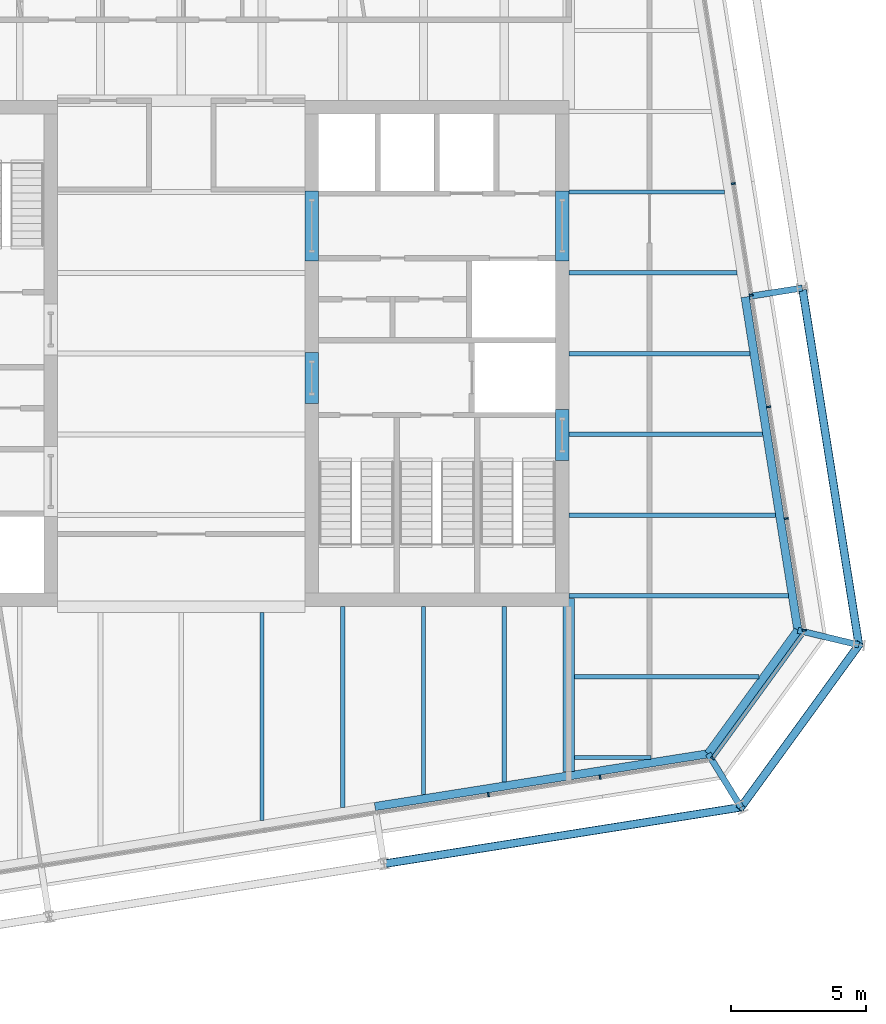
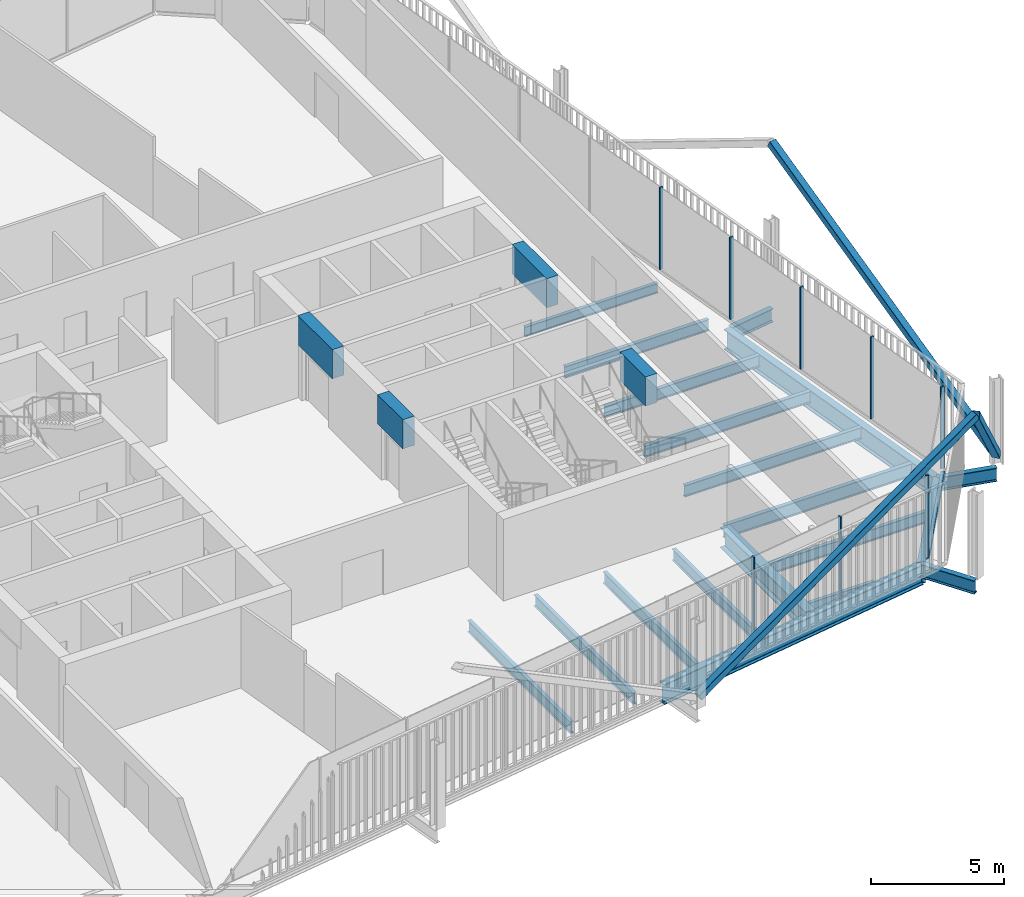
# One storey, part 9 of 21: 23 beams, 12 members, 3 elements without a shape of their own.
"""IFC4 building model written with IfcOpenShell, lengths in metres."""

from ifc_helpers import new_model, si_unit, direction, frame, origin, origin_2d, place, context, subcontext, project, spatial, rectangle, hollow_rectangle, i_section, extrude, material, layer, layer_set, material_profile, profile_set, type_object, element, aggregate, save


model = new_model("IFC4")

# Units and contexts
model_context = context("Model", 3, precision=1e-05, world=origin(), true_north=direction((0.0, 1.0)))
body_context = subcontext(model_context, "Body", "Model", "MODEL_VIEW")
ifc_project = project(units=[si_unit("LENGTHUNIT", "METRE"), si_unit("AREAUNIT", "SQUARE_METRE"), si_unit("VOLUMEUNIT", "CUBIC_METRE"), si_unit("PLANEANGLEUNIT", "RADIAN"), si_unit("MASSUNIT", "GRAM", prefix="KILO")], contexts=[model_context])

# Site, building, storey
site_placement = place(None, origin())
site = spatial("IfcSite", under=ifc_project, at=site_placement, CompositionType="ELEMENT")
building_placement = place(site_placement, origin())
building = spatial("IfcBuilding", under=site, at=building_placement, Name="Millrace Tower", CompositionType="ELEMENT")
storey_placement = place(building_placement, frame((0.0, 0.0, 212.5)))
storey = spatial("IfcBuildingStorey", under=building, at=storey_placement, Name="L48", CompositionType="ELEMENT", Elevation=212.5)

# Curtain wall, members
ifc_material_1 = material(Name="Aluminium and glass", Category="aluminium")
ifc_layer = layer(ifc_material_1, 0.14990234375)
ifc_layer_set = layer_set([ifc_layer], Name="Aluminium and glass")
curtain_wall_type = type_object("IfcCurtainWallType", Name="CW-1 office vision curtain wall", PredefinedType="NOTDEFINED", material=ifc_layer_set)
placement = place(storey_placement, origin())
curtain_wall_1 = element("IfcCurtainWall", 1, at=placement, inside=storey, type_object=curtain_wall_type, Name="Curtain wall D-F02 L48", PredefinedType="NOTDEFINED")
ifc_material_2 = material(Name="Aluminium", Category="aluminium")
ifc_material_profile_1 = material_profile(ifc_material_2, rectangle(XDim=0.06494140625, YDim=0.14990234375, at=origin_2d()))
ifc_profile_set_1 = profile_set([ifc_material_profile_1], Name="Aluminium")
member_type_1 = type_object("IfcMemberType", Name="CW-1 office vision curtain wall mullion", PredefinedType="MULLION", material=ifc_profile_set_1)
member_1_placement = place(storey_placement, frame((11.41259765625, -16.393310546875, 0.139892578125), z_axis=(0.0, 0.0, 1.0), x_axis=(0.987688339511, 0.156434471884, 0.0)))
member_1 = element("IfcMember", 2, at=member_1_placement, type_object=member_type_1, Name="CW1 mullion D-F02.8", PredefinedType="MULLION", context=body_context, shape_type="SweptSolid", body=[
    extrude(rectangle(XDim=0.06494140625, YDim=0.14990234375, at=origin_2d()), origin(), (0.0, 0.0, 1.0), 3.760009765625),
])
member_2_placement = place(storey_placement, frame((15.560791015625, -15.736328125, 0.139892578125), z_axis=(0.0, 0.0, 1.0), x_axis=(0.987688339511, 0.156434471884, 0.0)))
member_2 = element("IfcMember", 3, at=member_2_placement, type_object=member_type_1, Name="CW1 mullion D-F02.9", PredefinedType="MULLION", context=body_context, shape_type="SweptSolid", body=[
    extrude(rectangle(XDim=0.06494140625, YDim=0.14990234375, at=origin_2d()), origin(), (0.0, 0.0, 1.0), 3.760009765625),
])
aggregate(curtain_wall_1, [member_1, member_2])

# Curtain wall, member
curtain_wall_2 = element("IfcCurtainWall", 4, at=placement, inside=storey, type_object=curtain_wall_type, Name="Curtain wall D-F03 L48", PredefinedType="NOTDEFINED")
member_3_placement = place(storey_placement, frame((19.7451171875, -15.028076171875, 0.139892578125), z_axis=(0.0, 0.0, 1.0), x_axis=(0.587785305991, 0.809016955361, 0.0)))
member_3 = element("IfcMember", 5, at=member_3_placement, type_object=member_type_1, Name="CW1 mullion D-F03.1", PredefinedType="MULLION", context=body_context, shape_type="SweptSolid", body=[
    extrude(rectangle(XDim=0.06494140625, YDim=0.14990234375, at=origin_2d()), origin(), (0.0, 0.0, 1.0), 3.760009765625),
])

# Curtain wall, members
curtain_wall_3 = element("IfcCurtainWall", 6, at=placement, inside=storey, type_object=curtain_wall_type, Name="Curtain wall D-F04 L48", PredefinedType="NOTDEFINED")
member_4_placement = place(storey_placement, frame((23.142333984375, -10.275390625, 0.139892578125), z_axis=(0.0, 0.0, 1.0), x_axis=(-0.156434471884, 0.987688339511, 0.0)))
member_4 = element("IfcMember", 7, at=member_4_placement, type_object=member_type_1, Name="CW1 mullion D-F04.1", PredefinedType="MULLION", context=body_context, shape_type="SweptSolid", body=[
    extrude(rectangle(XDim=0.06494140625, YDim=0.14990234375, at=origin_2d()), origin(), (0.0, 0.0, 1.0), 3.760009765625),
])
member_5_placement = place(storey_placement, frame((22.4853515625, -6.127197265625, 0.139892578125), z_axis=(0.0, 0.0, 1.0), x_axis=(-0.156434471884, 0.987688339511, 0.0)))
member_5 = element("IfcMember", 8, at=member_5_placement, type_object=member_type_1, Name="CW1 mullion D-F04.2", PredefinedType="MULLION", context=body_context, shape_type="SweptSolid", body=[
    extrude(rectangle(XDim=0.06494140625, YDim=0.14990234375, at=origin_2d()), origin(), (0.0, 0.0, 1.0), 3.760009765625),
])
member_6_placement = place(storey_placement, frame((21.828369140625, -1.97900390625, 0.139892578125), z_axis=(0.0, 0.0, 1.0), x_axis=(-0.156434471884, 0.987688339511, 0.0)))
member_6 = element("IfcMember", 9, at=member_6_placement, type_object=member_type_1, Name="CW1 mullion D-F04.3", PredefinedType="MULLION", context=body_context, shape_type="SweptSolid", body=[
    extrude(rectangle(XDim=0.06494140625, YDim=0.14990234375, at=origin_2d()), origin(), (0.0, 0.0, 1.0), 3.760009765625),
])
member_7_placement = place(storey_placement, frame((21.17138671875, 2.16943359375, 0.139892578125), z_axis=(0.0, 0.0, 1.0), x_axis=(-0.156434471884, 0.987688339511, 0.0)))
member_7 = element("IfcMember", 10, at=member_7_placement, type_object=member_type_1, Name="CW1 mullion D-F04.4", PredefinedType="MULLION", context=body_context, shape_type="SweptSolid", body=[
    extrude(rectangle(XDim=0.06494140625, YDim=0.14990234375, at=origin_2d()), origin(), (0.0, 0.0, 1.0), 3.760009765625),
])
member_8_placement = place(storey_placement, frame((20.514404296875, 6.317626953125, 0.139892578125), z_axis=(0.0, 0.0, 1.0), x_axis=(-0.156434471884, 0.987688339511, 0.0)))
member_8 = element("IfcMember", 11, at=member_8_placement, type_object=member_type_1, Name="CW1 mullion D-F04.5", PredefinedType="MULLION", context=body_context, shape_type="SweptSolid", body=[
    extrude(rectangle(XDim=0.06494140625, YDim=0.14990234375, at=origin_2d()), origin(), (0.0, 0.0, 1.0), 3.760009765625),
])
aggregate(curtain_wall_3, [member_4, member_5, member_6, member_7, member_8])

# Member
ifc_material_3 = material(Name="Aluminium", Category="aluminium")
ifc_material_profile_2 = material_profile(ifc_material_3, rectangle(XDim=0.14990234375, YDim=0.139892578125, at=origin_2d()))
ifc_profile_set_2 = profile_set([ifc_material_profile_2], Name="Aluminium")
member_type_2 = type_object("IfcMemberType", Name="CW-1 office vision curtain wall transom", PredefinedType="USERDEFINED", material=ifc_profile_set_2)
member_9_placement = place(storey_placement, frame((19.78466796875, -14.973388671875, 0.070068359375), z_axis=(0.587811213399, 0.808998131891, 0.0), x_axis=(-0.808998131891, 0.587811213399, 0.0)))
member_9 = element("IfcMember", 12, at=member_9_placement, type_object=member_type_2, Name="CW1 transom D-F03.1", ObjectType="TRANSOM", PredefinedType="USERDEFINED", context=body_context, shape_type="SweptSolid", body=[
    extrude(rectangle(XDim=0.14990234375, YDim=0.139892578125, at=origin_2d()), origin(), (0.0, 0.0, 1.0), 5.598388671875),
])

aggregate(curtain_wall_2, [member_3, member_9])

# Beams
ifc_material_4 = material(Name="Concrete C60", Category="concrete")
ifc_material_profile_3 = material_profile(ifc_material_4, rectangle(XDim=0.5, YDim=1.340087890625, at=origin_2d()))
ifc_profile_set_3 = profile_set([ifc_material_profile_3], Name="Concrete C60")
beam_type_1 = type_object("IfcBeamType", Name="Coupling beam 500 x 1340 Concrete C60, 1300 opening", PredefinedType="BEAM", material=ifc_profile_set_3)
beam_1_placement = place(storey_placement, frame((14.14990234375, -2.080078125, 3.070068359375), z_axis=(0.0, -1.0, 0.0), x_axis=(1.0, 0.0, 0.0)))
element("IfcBeam", 13, at=beam_1_placement, inside=storey, type_object=beam_type_1, Name="Coupling beam E L48", PredefinedType="BEAM", context=body_context, shape_type="SweptSolid", body=[
    extrude(rectangle(XDim=0.5, YDim=1.340087890625, at=origin_2d()), origin(), (0.0, 0.0, 1.0), 1.89990234375),
])
beam_2_placement = place(storey_placement, frame((4.85009765625, 0.050048828125, 3.070068359375), z_axis=(0.0, -1.0, 0.0), x_axis=(1.0, 0.0, 0.0)))
element("IfcBeam", 14, at=beam_2_placement, inside=storey, type_object=beam_type_1, Name="Coupling beam E L48", PredefinedType="BEAM", context=body_context, shape_type="SweptSolid", body=[
    extrude(rectangle(XDim=0.5, YDim=1.340087890625, at=origin_2d()), origin(), (0.0, 0.0, 1.0), 1.900146484375),
])
ifc_material_5 = material(Name="Concrete C60", Category="concrete")
ifc_material_profile_4 = material_profile(ifc_material_5, rectangle(XDim=0.5, YDim=1.340087890625, at=origin_2d()))
ifc_profile_set_4 = profile_set([ifc_material_profile_4], Name="Concrete C60")
beam_type_2 = type_object("IfcBeamType", Name="Coupling beam 500 x 1340 Concrete C60, 2000 opening", PredefinedType="BEAM", material=ifc_profile_set_4)
for number, where, z_axis, x_axis, name in (
    (15, (14.14990234375, 6.050048828125, 3.070068359375), (0.0, -1.0, 0.0), (1.0, 0.0, 0.0), "Coupling beam E L48"),
    (16, (4.85009765625, 6.050048828125, 3.070068359375), (0.0, -1.0, 0.0), (1.0, 0.0, 0.0), "Coupling beam E L48"),
):
    element("IfcBeam", number, at=place(storey_placement, frame(where, z_axis=z_axis, x_axis=x_axis)), inside=storey, type_object=beam_type_2, Name=name, PredefinedType="BEAM", context=body_context, shape_type="SweptSolid", body=[
        extrude(rectangle(XDim=0.5, YDim=1.340087890625, at=origin_2d()), origin(), (0.0, 0.0, 1.0), 2.60009765625),
    ])

# Members
ifc_material_6 = material(Name="Steel ASTM A500 Grade C", Category="steel")
ifc_material_profile_5 = material_profile(ifc_material_6, hollow_rectangle(XDim=0.3046875, YDim=0.3046875, WallThickness=0.0126953125, InnerFilletRadius=0.00634765625, OuterFilletRadius=0.01904296875, at=origin_2d()))
ifc_profile_set_5 = profile_set([ifc_material_profile_5], Name="Steel ASTM A500 Grade C")
member_type_3 = type_object("IfcMemberType", Name="Exoskeleton brace HSS12x12x1/2", PredefinedType="BRACE", material=ifc_profile_set_5)
member_10_placement = place(storey_placement, frame((7.533203125, -18.956787109375, 0.39990234375), z_axis=(0.875833559472, 0.13872819238, 0.462244594065), x_axis=(-0.156445228811, 0.987686635721, 0.0)))
element("IfcMember", 17, at=member_10_placement, inside=storey, type_object=member_type_3, Name="BRC-D-L48-04", PredefinedType="BRACE", context=body_context, shape_type="SweptSolid", body=[
    extrude(hollow_rectangle(XDim=0.3046875, YDim=0.3046875, WallThickness=0.0126953125, InnerFilletRadius=0.00634765625, OuterFilletRadius=0.01904296875, at=origin_2d()), origin(), (0.0, 0.0, 1.0), 15.1435546875),
])
member_11_placement = place(storey_placement, frame((25.178466796875, -10.82470703125, 0.39990234375), z_axis=(-0.42850795905, -0.589774395252, 0.684504997598), x_axis=(0.809009310944, -0.587795827483, 0.0)))
element("IfcMember", 18, at=member_11_placement, inside=storey, type_object=member_type_3, Name="BRC-D-L48-05", PredefinedType="BRACE", context=body_context, shape_type="SweptSolid", body=[
    extrude(hollow_rectangle(XDim=0.3046875, YDim=0.3046875, WallThickness=0.0126953125, InnerFilletRadius=0.00634765625, OuterFilletRadius=0.01904296875, at=origin_2d()), origin(), (0.0, 0.0, 1.0), 10.226318359375),
])
member_12_placement = place(storey_placement, frame((25.178466796875, -10.82470703125, 0.39990234375), z_axis=(-0.13872819238, 0.875833559472, 0.462244594065), x_axis=(-0.987686635721, -0.156445228811, 0.0)))
element("IfcMember", 19, at=member_12_placement, inside=storey, type_object=member_type_3, Name="BRC-D-L48-06", PredefinedType="BRACE", context=body_context, shape_type="SweptSolid", body=[
    extrude(hollow_rectangle(XDim=0.3046875, YDim=0.3046875, WallThickness=0.0126953125, InnerFilletRadius=0.00634765625, OuterFilletRadius=0.01904296875, at=origin_2d()), origin(), (0.0, 0.0, 1.0), 15.1435546875),
])

# Beams
ifc_material_7 = material(Name="Steel ASTM A992 Grade 50", Category="steel")
ifc_material_profile_6 = material_profile(ifc_material_7, i_section(OverallWidth=0.15234375, OverallDepth=0.449462890625, WebThickness=0.007568359375, FlangeThickness=0.0107421875, FilletRadius=0.01025390625, at=origin_2d()))
ifc_profile_set_6 = profile_set([ifc_material_profile_6], Name="Steel ASTM A992 Grade 50")
beam_type_3 = type_object("IfcBeamType", Name="Floor beam W18x35", PredefinedType="JOIST", material=ifc_profile_set_6)
beam_3_placement = place(storey_placement, frame((14.39990234375, 6.0, -0.384765625), z_axis=(1.0, 0.0, 0.0), x_axis=(0.0, 1.0, 0.0)))
element("IfcBeam", 20, at=beam_3_placement, inside=storey, type_object=beam_type_3, Name="BM-D-L48-S1-S022", PredefinedType="JOIST", context=body_context, shape_type="SweptSolid", body=[
    extrude(i_section(OverallWidth=0.15234375, OverallDepth=0.449462890625, WebThickness=0.007568359375, FlangeThickness=0.0107421875, FilletRadius=0.01025390625, at=origin_2d()), origin(), (0.0, 0.0, 1.0), 5.777587890625),
])
beam_4_placement = place(storey_placement, frame((14.609619140625, -15.0, -0.384765625), z_axis=(1.0, 0.0, 0.0), x_axis=(0.0, 1.0, 0.0)))
element("IfcBeam", 21, at=beam_4_placement, inside=storey, type_object=beam_type_3, Name="BM-D-L48-S1-S003", PredefinedType="JOIST", context=body_context, shape_type="SweptSolid", body=[
    extrude(i_section(OverallWidth=0.15234375, OverallDepth=0.449462890625, WebThickness=0.007568359375, FlangeThickness=0.0107421875, FilletRadius=0.01025390625, at=origin_2d()), origin(), (0.0, 0.0, 1.0), 2.839599609375),
])
ifc_material_8 = material(Name="Steel ASTM A992 Grade 50", Category="steel")
ifc_material_profile_7 = material_profile(ifc_material_8, i_section(OverallWidth=0.1650390625, OverallDepth=0.52587890625, WebThickness=0.0087890625, FlangeThickness=0.011474609375, FilletRadius=0.0126953125, at=origin_2d()))
ifc_profile_set_7 = profile_set([ifc_material_profile_7], Name="Steel ASTM A992 Grade 50")
beam_type_4 = type_object("IfcBeamType", Name="Floor beam W21x44", PredefinedType="JOIST", material=ifc_profile_set_7)
beam_5_placement = place(storey_placement, frame((14.609619140625, -12.0, -0.4228515625), z_axis=(1.0, 0.0, 0.0), x_axis=(0.0, 1.0, 0.0)))
element("IfcBeam", 22, at=beam_5_placement, inside=storey, type_object=beam_type_4, Name="BM-D-L48-S1-S005", PredefinedType="JOIST", context=body_context, shape_type="SweptSolid", body=[
    extrude(i_section(OverallWidth=0.1650390625, OverallDepth=0.52587890625, WebThickness=0.0087890625, FlangeThickness=0.011474609375, FilletRadius=0.0126953125, at=origin_2d()), origin(), (0.0, 0.0, 1.0), 6.86279296875),
])
beam_6_placement = place(storey_placement, frame((14.39990234375, -6.0, -0.4228515625), z_axis=(1.0, 0.0, 0.0), x_axis=(0.0, 1.0, 0.0)))
element("IfcBeam", 23, at=beam_6_placement, inside=storey, type_object=beam_type_4, Name="BM-D-L48-S1-S010", PredefinedType="JOIST", context=body_context, shape_type="SweptSolid", body=[
    extrude(i_section(OverallWidth=0.1650390625, OverallDepth=0.52587890625, WebThickness=0.0087890625, FlangeThickness=0.011474609375, FilletRadius=0.0126953125, at=origin_2d()), origin(), (0.0, 0.0, 1.0), 7.67822265625),
])
beam_7_placement = place(storey_placement, frame((14.39990234375, -3.0, -0.4228515625), z_axis=(1.0, 0.0, 0.0), x_axis=(0.0, 1.0, 0.0)))
element("IfcBeam", 24, at=beam_7_placement, inside=storey, type_object=beam_type_4, Name="BM-D-L48-S1-S013", PredefinedType="JOIST", context=body_context, shape_type="SweptSolid", body=[
    extrude(i_section(OverallWidth=0.1650390625, OverallDepth=0.52587890625, WebThickness=0.0087890625, FlangeThickness=0.011474609375, FilletRadius=0.0126953125, at=origin_2d()), origin(), (0.0, 0.0, 1.0), 7.203125),
])
beam_8_placement = place(storey_placement, frame((14.39990234375, 0.0, -0.4228515625), z_axis=(1.0, 0.0, 0.0), x_axis=(0.0, 1.0, 0.0)))
element("IfcBeam", 25, at=beam_8_placement, inside=storey, type_object=beam_type_4, Name="BM-D-L48-S1-S016", PredefinedType="JOIST", context=body_context, shape_type="SweptSolid", body=[
    extrude(i_section(OverallWidth=0.1650390625, OverallDepth=0.52587890625, WebThickness=0.0087890625, FlangeThickness=0.011474609375, FilletRadius=0.0126953125, at=origin_2d()), origin(), (0.0, 0.0, 1.0), 6.72802734375),
])
beam_9_placement = place(storey_placement, frame((14.39990234375, 3.0, -0.4228515625), z_axis=(1.0, 0.0, 0.0), x_axis=(0.0, 1.0, 0.0)))
element("IfcBeam", 26, at=beam_9_placement, inside=storey, type_object=beam_type_4, Name="BM-D-L48-S1-S019", PredefinedType="JOIST", context=body_context, shape_type="SweptSolid", body=[
    extrude(i_section(OverallWidth=0.1650390625, OverallDepth=0.52587890625, WebThickness=0.0087890625, FlangeThickness=0.011474609375, FilletRadius=0.0126953125, at=origin_2d()), origin(), (0.0, 0.0, 1.0), 6.252685546875),
])
beam_10_placement = place(storey_placement, frame((3.0, -17.338623046875, -0.4228515625), z_axis=(0.0, 1.0, 0.0), x_axis=(-1.0, 0.0, 0.0)))
element("IfcBeam", 27, at=beam_10_placement, inside=storey, type_object=beam_type_4, Name="BM-D-L48-S1-S047", PredefinedType="JOIST", context=body_context, shape_type="SweptSolid", body=[
    extrude(i_section(OverallWidth=0.1650390625, OverallDepth=0.52587890625, WebThickness=0.0087890625, FlangeThickness=0.011474609375, FilletRadius=0.0126953125, at=origin_2d()), origin(), (0.0, 0.0, 1.0), 7.72900390625),
])
beam_11_placement = place(storey_placement, frame((6.0, -16.863525390625, -0.4228515625), z_axis=(0.0, 1.0, 0.0), x_axis=(-1.0, 0.0, 0.0)))
element("IfcBeam", 28, at=beam_11_placement, inside=storey, type_object=beam_type_4, Name="BM-D-L48-S1-S049", PredefinedType="JOIST", context=body_context, shape_type="SweptSolid", body=[
    extrude(i_section(OverallWidth=0.1650390625, OverallDepth=0.52587890625, WebThickness=0.0087890625, FlangeThickness=0.011474609375, FilletRadius=0.0126953125, at=origin_2d()), origin(), (0.0, 0.0, 1.0), 7.463623046875),
])
beam_12_placement = place(storey_placement, frame((9.0, -16.38818359375, -0.4228515625), z_axis=(0.0, 1.0, 0.0), x_axis=(-1.0, 0.0, 0.0)))
element("IfcBeam", 29, at=beam_12_placement, inside=storey, type_object=beam_type_4, Name="BM-D-L48-S1-S051", PredefinedType="JOIST", context=body_context, shape_type="SweptSolid", body=[
    extrude(i_section(OverallWidth=0.1650390625, OverallDepth=0.52587890625, WebThickness=0.0087890625, FlangeThickness=0.011474609375, FilletRadius=0.0126953125, at=origin_2d()), origin(), (0.0, 0.0, 1.0), 6.98828125),
])
beam_13_placement = place(storey_placement, frame((12.0, -15.9130859375, -0.4228515625), z_axis=(0.0, 1.0, 0.0), x_axis=(-1.0, 0.0, 0.0)))
element("IfcBeam", 30, at=beam_13_placement, inside=storey, type_object=beam_type_4, Name="BM-D-L48-S1-S053", PredefinedType="JOIST", context=body_context, shape_type="SweptSolid", body=[
    extrude(i_section(OverallWidth=0.1650390625, OverallDepth=0.52587890625, WebThickness=0.0087890625, FlangeThickness=0.011474609375, FilletRadius=0.0126953125, at=origin_2d()), origin(), (0.0, 0.0, 1.0), 6.51318359375),
])
ifc_material_9 = material(Name="Steel ASTM A992 Grade 50", Category="steel")
ifc_material_profile_8 = material_profile(ifc_material_9, i_section(OverallWidth=0.177978515625, OverallDepth=0.599365234375, WebThickness=0.010009765625, FlangeThickness=0.012939453125, FilletRadius=0.012939453125, at=origin_2d()))
ifc_profile_set_8 = profile_set([ifc_material_profile_8], Name="Steel ASTM A992 Grade 50")
beam_type_5 = type_object("IfcBeamType", Name="Floor beam W24x55", PredefinedType="JOIST", material=ifc_profile_set_8)
beam_14_placement = place(storey_placement, frame((14.39990234375, -9.0, -0.459716796875), z_axis=(1.0, 0.0, 0.0), x_axis=(0.0, 1.0, 0.0)))
element("IfcBeam", 31, at=beam_14_placement, inside=storey, type_object=beam_type_5, Name="BM-D-L48-S1-S007", PredefinedType="JOIST", context=body_context, shape_type="SweptSolid", body=[
    extrude(i_section(OverallWidth=0.177978515625, OverallDepth=0.599365234375, WebThickness=0.010009765625, FlangeThickness=0.012939453125, FilletRadius=0.012939453125, at=origin_2d()), origin(), (0.0, 0.0, 1.0), 8.1533203125),
])
ifc_material_10 = material(Name="Steel ASTM A992 Grade 50", Category="steel")
ifc_material_profile_9 = material_profile(ifc_material_10, i_section(OverallWidth=0.419189453125, OverallDepth=0.927001953125, WebThickness=0.019287109375, FlangeThickness=0.031982421875, FilletRadius=0.024169921875, at=origin_2d()))
ifc_profile_set_9 = profile_set([ifc_material_profile_9], Name="Steel ASTM A992 Grade 50")
beam_type_6 = type_object("IfcBeamType", Name="Girder short span W36x231", PredefinedType="BEAM", material=ifc_profile_set_9)
beam_15_placement = place(storey_placement, frame((14.39990234375, -15.52490234375, -0.62353515625), z_axis=(0.0, 1.0, 0.0), x_axis=(-1.0, 0.0, 0.0)))
element("IfcBeam", 32, at=beam_15_placement, inside=storey, type_object=beam_type_6, Name="BM-D-L48-S1-G057", PredefinedType="BEAM", context=body_context, shape_type="SweptSolid", body=[
    extrude(i_section(OverallWidth=0.419189453125, OverallDepth=0.927001953125, WebThickness=0.019287109375, FlangeThickness=0.031982421875, FilletRadius=0.024169921875, at=origin_2d()), origin(), (0.0, 0.0, 1.0), 6.432861328125),
])
ifc_material_11 = material(Name="Steel ASTM A992 Grade 50", Category="steel")
ifc_material_profile_10 = material_profile(ifc_material_11, i_section(OverallWidth=0.23046875, OverallDepth=0.6171875, WebThickness=0.01318359375, FlangeThickness=0.022216796875, FilletRadius=0.012939453125, at=origin_2d()))
ifc_profile_set_10 = profile_set([ifc_material_profile_10], Name="Steel ASTM A992 Grade 50")
beam_type_7 = type_object("IfcBeamType", Name="Link beam W24x94", PredefinedType="BEAM", material=ifc_profile_set_10)
beam_16_placement = place(storey_placement, frame((21.102294921875, 2.12548828125, -0.468505859375), z_axis=(0.987678691416, 0.156495375404, 0.0), x_axis=(-0.156495375404, 0.987678691416, 0.0)))
element("IfcBeam", 33, at=beam_16_placement, inside=storey, type_object=beam_type_7, Name="LNK-D-L48-S1-11", PredefinedType="BEAM", context=body_context, shape_type="SweptSolid", body=[
    extrude(i_section(OverallWidth=0.23046875, OverallDepth=0.6171875, WebThickness=0.01318359375, FlangeThickness=0.022216796875, FilletRadius=0.012939453125, at=origin_2d()), origin(), (0.0, 0.0, 1.0), 2.0),
])
beam_17_placement = place(storey_placement, frame((22.91162109375, -10.280517578125, -0.468505859375), z_axis=(0.972373041068, -0.233432364948, 0.0), x_axis=(0.233432364948, 0.972373041068, 0.0)))
element("IfcBeam", 34, at=beam_17_placement, inside=storey, type_object=beam_type_7, Name="LNK-D-L48-S1-12", PredefinedType="BEAM", context=body_context, shape_type="SweptSolid", body=[
    extrude(i_section(OverallWidth=0.23046875, OverallDepth=0.6171875, WebThickness=0.01318359375, FlangeThickness=0.022216796875, FilletRadius=0.012939453125, at=origin_2d()), origin(), (0.0, 0.0, 1.0), 2.331298828125),
])
beam_18_placement = place(storey_placement, frame((19.578369140625, -14.868408203125, -0.468505859375), z_axis=(0.522512938711, -0.852631355792, 0.0), x_axis=(0.852631355792, 0.522512938711, 0.0)))
element("IfcBeam", 35, at=beam_18_placement, inside=storey, type_object=beam_type_7, Name="LNK-D-L48-S1-13", PredefinedType="BEAM", context=body_context, shape_type="SweptSolid", body=[
    extrude(i_section(OverallWidth=0.23046875, OverallDepth=0.6171875, WebThickness=0.01318359375, FlangeThickness=0.022216796875, FilletRadius=0.012939453125, at=origin_2d()), origin(), (0.0, 0.0, 1.0), 2.3310546875),
])
ifc_material_12 = material(Name="Steel ASTM A992 Grade 50", Category="steel")
ifc_material_profile_11 = material_profile(ifc_material_12, i_section(OverallWidth=0.307373046875, OverallDepth=0.927001953125, WebThickness=0.01953125, FlangeThickness=0.031982421875, FilletRadius=0.01904296875, at=origin_2d()))
ifc_profile_set_11 = profile_set([ifc_material_profile_11], Name="Steel ASTM A992 Grade 50")
beam_type_8 = type_object("IfcBeamType", Name="Ring beam medium span W36x194", PredefinedType="SPANDREL", material=ifc_profile_set_11)
for number, where, z_axis, x_axis, name in (
    (36, (20.95068359375, 2.1015625, -0.62353515625), (0.156419577072, -0.987690698503, 0.0), (0.987690698503, 0.156419577072, 0.0), "RNG-D-L48-S1-11"),
    (37, (19.578369140625, -14.868408203125, -0.62353515625), (-0.987687689625, -0.156438575049, 0.0), (0.156438575049, -0.987687689625, 0.0), "RNG-D-L48-S1-13"),
):
    element("IfcBeam", number, at=place(storey_placement, frame(where, z_axis=z_axis, x_axis=x_axis)), inside=storey, type_object=beam_type_8, Name=name, PredefinedType="SPANDREL", context=body_context, shape_type="SweptSolid", body=[
        extrude(i_section(OverallWidth=0.307373046875, OverallDepth=0.927001953125, WebThickness=0.01953125, FlangeThickness=0.031982421875, FilletRadius=0.01904296875, at=origin_2d()), origin(), (0.0, 0.0, 1.0), 12.536376953125),
    ])
ifc_material_13 = material(Name="Steel ASTM A992 Grade 50", Category="steel")
ifc_material_profile_12 = material_profile(ifc_material_13, i_section(OverallWidth=0.307373046875, OverallDepth=0.927001953125, WebThickness=0.01953125, FlangeThickness=0.031982421875, FilletRadius=0.01904296875, at=origin_2d()))
ifc_profile_set_12 = profile_set([ifc_material_profile_12], Name="Steel ASTM A992 Grade 50")
beam_type_9 = type_object("IfcBeamType", Name="Ring beam short span W36x194", PredefinedType="SPANDREL", material=ifc_profile_set_12)
beam_19_placement = place(storey_placement, frame((22.91162109375, -10.280517578125, -0.62353515625), z_axis=(-0.587779977844, -0.80902082646, 0.0), x_axis=(0.80902082646, -0.587779977844, 0.0)))
element("IfcBeam", 38, at=beam_19_placement, inside=storey, type_object=beam_type_9, Name="RNG-D-L48-S1-12", PredefinedType="SPANDREL", context=body_context, shape_type="SweptSolid", body=[
    extrude(i_section(OverallWidth=0.307373046875, OverallDepth=0.927001953125, WebThickness=0.01953125, FlangeThickness=0.031982421875, FilletRadius=0.01904296875, at=origin_2d()), origin(), (0.0, 0.0, 1.0), 5.6708984375),
])

save(model, "model.ifc")
